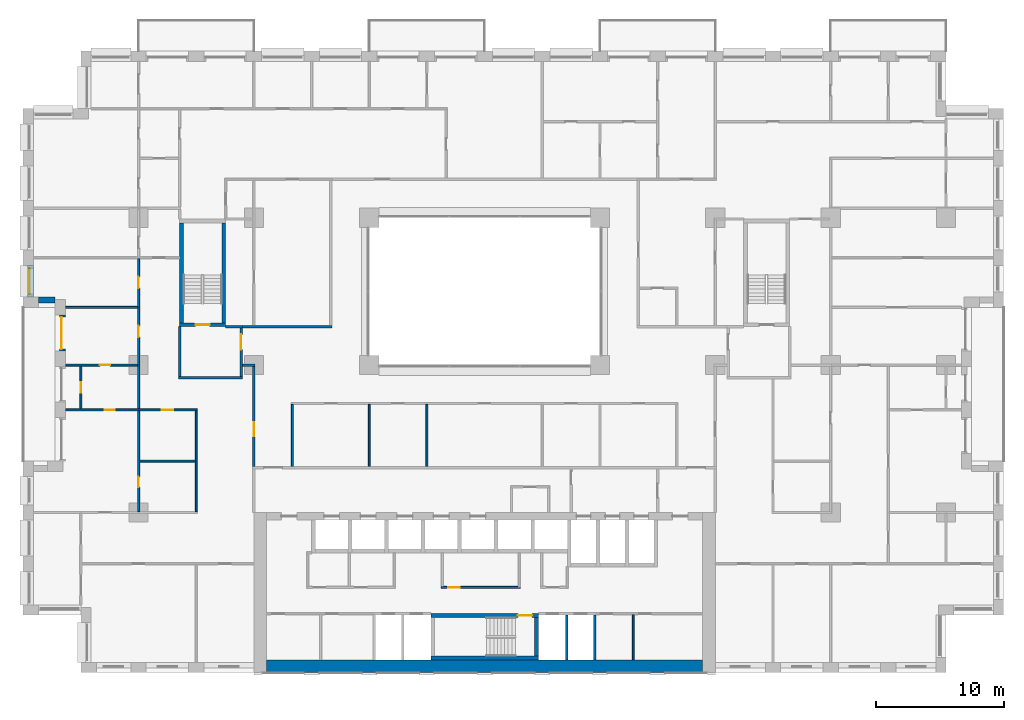
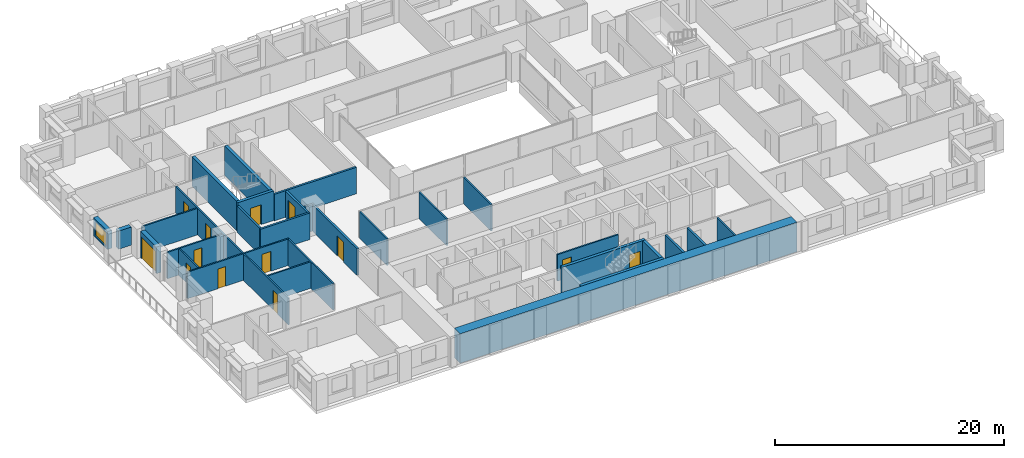
# One storey, part 10 of 20: 32 walls, 13 doors, 1 window, 14 openings.
"""IFC4 building model written with IfcOpenShell, lengths in metres."""

from ifc_helpers import new_model, si_unit, direction, frame, frame_2d, origin, place, context, subcontext, project, spatial, rectangle, extrude, material, layer, layer_set, type_object, element, fill, save


model = new_model("IFC4")

# Units and contexts
model_context = context("Model", 3, precision=1e-05, world=origin(), true_north=direction((0.0, 1.0)))
body_context = subcontext(model_context, "Body", "Model", "MODEL_VIEW")
ifc_project = project(units=[si_unit("LENGTHUNIT", "METRE"), si_unit("AREAUNIT", "SQUARE_METRE"), si_unit("VOLUMEUNIT", "CUBIC_METRE"), si_unit("PLANEANGLEUNIT", "RADIAN"), si_unit("MASSUNIT", "GRAM", prefix="KILO")], contexts=[model_context])

# Site, building, storey
site_placement = place(None, origin())
site = spatial("IfcSite", under=ifc_project, at=site_placement, CompositionType="ELEMENT")
building_placement = place(site_placement, origin())
building = spatial("IfcBuilding", under=site, at=building_placement, Name="Brigalow Station Residences", CompositionType="ELEMENT")
storey_placement = place(building_placement, frame((0.0, 0.0, 38.39990234375)))
storey = spatial("IfcBuildingStorey", under=building, at=storey_placement, Name="L10", CompositionType="ELEMENT", Elevation=38.39990234375)

# Wall, opening, window
ifc_material_1 = material(Name="Clay brick masonry", Category="masonry")
ifc_layer_1 = layer(ifc_material_1, 0.449951171875)
ifc_layer_set_1 = layer_set([ifc_layer_1], Name="BRICK INFILL WALL 450")
wall_type_1 = type_object("IfcWallType", Name="BRICK INFILL WALL 450", PredefinedType="SOLIDWALL", material=ifc_layer_set_1)
wall_1_placement = place(storey_placement, frame((0.574951171875, 31.77490234375, 0.900146484375), z_axis=(0.0, 0.0, 1.0), x_axis=(0.0, -1.0, 0.0)))
wall_1 = element("IfcWall", 1, at=wall_1_placement, inside=storey, type_object=wall_type_1, Name="L10/ewall/W-L10-45", PredefinedType="SOLIDWALL", context=body_context, shape_type="SweptSolid", body=[
    extrude(rectangle(XDim=2.474853515625, YDim=0.449951171875, at=frame_2d((1.2373046875, 0.0))), origin(), (0.0, 0.0, 1.0), 1.929931640625),
])
opening_1_placement = place(wall_1_placement, frame((0.237548828125, 0.0, 0.14990234375)))
opening_1 = element("IfcOpeningElement", 2, at=opening_1_placement, cuts=wall_1, Name="Opening WT-7", PredefinedType="OPENING", context=body_context, shape_type="SweptSolid", body=[
    extrude(rectangle(XDim=2.0, YDim=1.5, at=frame_2d((1.0, 0.75))), frame((0.0, 0.23486328125, 0.0), z_axis=(0.0, -1.0, 0.0), x_axis=(1.0, 0.0, 0.0)), (0.0, 0.0, 1.0), 0.469970703125),
])
ifc_material_2 = material(Name="Anodised aluminium frame with double glazing", Category="aluminium")
window_type = type_object("IfcWindowType", Name="WINDOW 2000x1500", PartitioningType="SINGLE_PANEL", PredefinedType="WINDOW", material=ifc_material_2)
window_placement = place(opening_1_placement, origin())
window = element("IfcWindow", 3, at=window_placement, inside=storey, type_object=window_type, Name="L10/window/W-L10-45", OverallHeight=1.5, OverallWidth=2.0, PartitioningType="SINGLE_PANEL", PredefinedType="WINDOW", context=body_context, shape_type="SweptSolid", body=[
    extrude(rectangle(XDim=2.0, YDim=1.5, at=frame_2d((1.0, 0.75))), frame((0.0, -0.06494140625, 0.0), z_axis=(0.0, -1.0, 0.0), x_axis=(1.0, 0.0, 0.0)), (0.0, 0.0, 1.0), 0.06005859375),
])
fill(opening_1, window)

# Wall
wall_2_placement = place(storey_placement, frame((1.199951171875, 29.074951171875, 0.900146484375), z_axis=(0.0, 0.0, 1.0), x_axis=(1.0, 0.0, 0.0)))
element("IfcWall", 4, at=wall_2_placement, inside=storey, type_object=wall_type_1, Name="L10/ewall/W-L10-46", PredefinedType="SOLIDWALL", context=body_context, shape_type="SweptSolid", body=[
    extrude(rectangle(XDim=1.300048828125, YDim=0.449951171875, at=frame_2d((0.64990234375, 0.0))), origin(), (0.0, 0.0, 1.0), 1.929931640625),
])

# Wall, opening, door
wall_3_placement = place(storey_placement, frame((3.074951171875, 27.89990234375, 0.0), z_axis=(0.0, 0.0, 1.0), x_axis=(0.0, -1.0, 0.0)))
wall_3 = element("IfcWall", 5, at=wall_3_placement, inside=storey, type_object=wall_type_1, Name="L10/ewall/W-L10-47", PredefinedType="SOLIDWALL", context=body_context, shape_type="SweptSolid", body=[
    extrude(rectangle(XDim=2.7998046875, YDim=0.449951171875, at=frame_2d((1.39990234375, 0.0))), origin(), (0.0, 0.0, 1.0), 2.830078125),
])
opening_2_placement = place(wall_3_placement, frame((0.14990234375, 0.0, 0.0)))
opening_2 = element("IfcOpeningElement", 6, at=opening_2_placement, cuts=wall_3, Name="Opening D-B2500", PredefinedType="OPENING", context=body_context, shape_type="SweptSolid", body=[
    extrude(rectangle(XDim=2.5, YDim=2.300048828125, at=frame_2d((1.25, 1.14990234375))), frame((0.0, 0.23486328125, 0.0), z_axis=(0.0, -1.0, 0.0), x_axis=(1.0, 0.0, 0.0)), (0.0, 0.0, 1.0), 0.469970703125),
])
ifc_material_3 = material(Name="Anodised aluminium frame with double glazing", Category="aluminium")
door_type_1 = type_object("IfcDoorType", Name="BALCONY SLIDING DOOR 2500x2300", OperationType="SLIDING_TO_LEFT", PredefinedType="DOOR", material=ifc_material_3)
door_1_placement = place(opening_2_placement, origin())
door_1 = element("IfcDoor", 7, at=door_1_placement, inside=storey, type_object=door_type_1, Name="L10/balcony-door/W-L10-47", OperationType="SLIDING_TO_LEFT", OverallHeight=2.300048828125, OverallWidth=2.5, PredefinedType="DOOR", context=body_context, shape_type="SweptSolid", body=[
    extrude(rectangle(XDim=2.5, YDim=2.300048828125, at=frame_2d((1.25, 1.14990234375))), frame((0.0, -0.06982421875, 0.0), z_axis=(0.0, -1.0, 0.0), x_axis=(1.0, 0.0, 0.0)), (0.0, 0.0, 1.0), 0.050048828125),
])
fill(opening_2, door_1)

# Walls
ifc_material_4 = material(Name="Concrete C80", Category="concrete")
ifc_layer_2 = layer(ifc_material_4, 1.0)
ifc_layer_set_2 = layer_set([ifc_layer_2], Name="CORE SHEAR WALL 1000 C80")
wall_type_2 = type_object("IfcWallType", Name="CORE SHEAR WALL 1000 C80", PredefinedType="SHEAR", material=ifc_layer_set_2)
wall_4_placement = place(storey_placement, frame((19.0, 0.5, 0.0), z_axis=(0.0, 0.0, 1.0), x_axis=(1.0, 0.0, 0.0)))
element("IfcWall", 8, at=wall_4_placement, inside=storey, type_object=wall_type_2, Name="CORE WALL OUT-S L10", PredefinedType="SHEAR", context=body_context, shape_type="SweptSolid", body=[
    extrude(rectangle(XDim=34.0, YDim=1.0, at=frame_2d((17.0, 0.0))), origin(), (0.0, 0.0, 1.0), 3.150146484375),
])
ifc_material_5 = material(Name="Concrete C80", Category="concrete")
ifc_layer_3 = layer(ifc_material_5, 0.300048828125)
ifc_layer_set_3 = layer_set([ifc_layer_3], Name="CORE SHEAR WALL 300 C80")
wall_type_3 = type_object("IfcWallType", Name="CORE SHEAR WALL 300 C80", PredefinedType="SHEAR", material=ifc_layer_set_3)
wall_5_placement = place(storey_placement, frame((31.800048828125, 1.14990234375, 0.0), z_axis=(0.0, 0.0, 1.0), x_axis=(1.0, 0.0, 0.0)))
element("IfcWall", 9, at=wall_5_placement, inside=storey, type_object=wall_type_3, Name="CORE WALL ST-S2-S L10", PredefinedType="SHEAR", context=body_context, shape_type="SweptSolid", body=[
    extrude(rectangle(XDim=8.39990234375, YDim=0.300048828125, at=frame_2d((4.199951171875, 0.0))), origin(), (0.0, 0.0, 1.0), 3.150146484375),
])

# Wall, opening, door
wall_6_placement = place(storey_placement, frame((31.800048828125, 4.449951171875, 0.0), z_axis=(0.0, 0.0, 1.0), x_axis=(1.0, 0.0, 0.0)))
wall_6 = element("IfcWall", 10, at=wall_6_placement, inside=storey, type_object=wall_type_3, Name="CORE WALL ST-S2-N L10", PredefinedType="SHEAR", context=body_context, shape_type="SweptSolid", body=[
    extrude(rectangle(XDim=8.39990234375, YDim=0.300048828125, at=frame_2d((4.199951171875, 0.0))), origin(), (0.0, 0.0, 1.0), 3.150146484375),
])
opening_3_placement = place(wall_6_placement, frame((6.800048828125, 0.0, 0.0)))
opening_3 = element("IfcOpeningElement", 11, at=opening_3_placement, cuts=wall_6, Name="Opening D-5001", PredefinedType="OPENING", context=body_context, shape_type="SweptSolid", body=[
    extrude(rectangle(XDim=1.10009765625, YDim=2.10009765625, at=frame_2d((0.550048828125, 1.050048828125))), frame((0.0, 0.16015625, 0.0), z_axis=(0.0, -1.0, 0.0), x_axis=(1.0, 0.0, 0.0)), (0.0, 0.0, 1.0), 0.320068359375),
])
ifc_material_6 = material(Name="Steel fire door leaf in steel frame", Category="steel")
door_type_2 = type_object("IfcDoorType", Name="STAIR DOOR 1100 x 2100 FD60S", OperationType="SINGLE_SWING_LEFT", PredefinedType="DOOR", material=ifc_material_6)
door_2_placement = place(opening_3_placement, frame((1.10009765625, 0.0, 0.0), z_axis=(0.0, 0.0, 1.0), x_axis=(-1.0, 0.0, 0.0)))
door_2 = element("IfcDoor", 12, at=door_2_placement, inside=storey, type_object=door_type_2, Name="D-5001", OperationType="SINGLE_SWING_LEFT", OverallHeight=2.10009765625, OverallWidth=1.10009765625, PredefinedType="DOOR", context=body_context, shape_type="SweptSolid", body=[
    extrude(rectangle(XDim=1.10009765625, YDim=2.10009765625, at=frame_2d((0.550048828125, 1.050048828125))), frame((0.0, 0.02490234375, 0.0), z_axis=(0.0, -1.0, 0.0), x_axis=(1.0, 0.0, 0.0)), (0.0, 0.0, 1.0), 0.050048828125),
])
fill(opening_3, door_2)

# Wall
wall_7_placement = place(storey_placement, frame((40.050048828125, 1.300048828125, 0.0), z_axis=(0.0, 0.0, 1.0), x_axis=(0.0, 1.0, 0.0)))
element("IfcWall", 13, at=wall_7_placement, inside=storey, type_object=wall_type_3, Name="CORE WALL ST-S2-E L10", PredefinedType="SHEAR", context=body_context, shape_type="SweptSolid", body=[
    extrude(rectangle(XDim=3.0, YDim=0.300048828125, at=frame_2d((1.5, 0.0))), origin(), (0.0, 0.0, 1.0), 3.150146484375),
])

# Wall, opening, door
wall_8_placement = place(storey_placement, frame((12.199951171875, 27.14990234375, 0.0), z_axis=(0.0, 0.0, 1.0), x_axis=(1.0, 0.0, 0.0)))
wall_8 = element("IfcWall", 14, at=wall_8_placement, inside=storey, type_object=wall_type_3, Name="CORE WALL ST-S1-S L10", PredefinedType="SHEAR", context=body_context, shape_type="SweptSolid", body=[
    extrude(rectangle(XDim=3.60009765625, YDim=0.300048828125, at=frame_2d((1.800048828125, 0.0))), origin(), (0.0, 0.0, 1.0), 3.150146484375),
])
opening_4_placement = place(wall_8_placement, frame((1.25, 0.0, 0.0)))
opening_4 = element("IfcOpeningElement", 15, at=opening_4_placement, cuts=wall_8, Name="Opening D-5015", PredefinedType="OPENING", context=body_context, shape_type="SweptSolid", body=[
    extrude(rectangle(XDim=1.10009765625, YDim=2.10009765625, at=frame_2d((0.550048828125, 1.050048828125))), frame((0.0, 0.16015625, 0.0), z_axis=(0.0, -1.0, 0.0), x_axis=(1.0, 0.0, 0.0)), (0.0, 0.0, 1.0), 0.320068359375),
])
door_3_placement = place(opening_4_placement, origin())
door_3 = element("IfcDoor", 16, at=door_3_placement, inside=storey, type_object=door_type_2, Name="D-5015", OperationType="SINGLE_SWING_LEFT", OverallHeight=2.10009765625, OverallWidth=1.10009765625, PredefinedType="DOOR", context=body_context, shape_type="SweptSolid", body=[
    extrude(rectangle(XDim=1.10009765625, YDim=2.10009765625, at=frame_2d((0.550048828125, 1.050048828125))), frame((0.0, 0.02490234375, 0.0), z_axis=(0.0, -1.0, 0.0), x_axis=(1.0, 0.0, 0.0)), (0.0, 0.0, 1.0), 0.050048828125),
])
fill(opening_4, door_3)

# Walls
for number, where, z_axis, x_axis, name in (
    (17, (12.35009765625, 27.300048828125, 0.0), (0.0, 0.0, 1.0), (0.0, 1.0, 0.0), "CORE WALL ST-S1-W L10"),
    (18, (15.64990234375, 27.300048828125, 0.0), (0.0, 0.0, 1.0), (0.0, 1.0, 0.0), "CORE WALL ST-S1-E L10"),
):
    element("IfcWall", number, at=place(storey_placement, frame(where, z_axis=z_axis, x_axis=x_axis)), inside=storey, type_object=wall_type_3, Name=name, PredefinedType="SHEAR", context=body_context, shape_type="SweptSolid", body=[
        extrude(rectangle(XDim=7.800048828125, YDim=0.300048828125, at=frame_2d((3.89990234375, 0.0))), origin(), (0.0, 0.0, 1.0), 3.150146484375),
    ])
ifc_material_7 = material(Name="Concrete blockwork", Category="masonry")
ifc_layer_4 = layer(ifc_material_7, 0.199951171875)
ifc_layer_set_4 = layer_set([ifc_layer_4], Name="FIRE RATED CORE PARTITION 200")
wall_type_4 = type_object("IfcWallType", Name="FIRE RATED CORE PARTITION 200", PredefinedType="PARTITIONING", material=ifc_layer_set_4)
wall_9_placement = place(storey_placement, frame((12.10009765625, 23.0, 0.0), z_axis=(0.0, 0.0, 1.0), x_axis=(1.0, 0.0, 0.0)))
element("IfcWall", 19, at=wall_9_placement, inside=storey, type_object=wall_type_4, Name="PW-5023", PredefinedType="PARTITIONING", context=body_context, shape_type="SweptSolid", body=[
    extrude(rectangle(XDim=5.0, YDim=0.199951171875, at=frame_2d((2.5, 0.0))), origin(), (0.0, 0.0, 1.0), 2.830078125),
])
wall_10_placement = place(storey_placement, frame((15.800048828125, 27.0, 0.0), z_axis=(0.0, 0.0, 1.0), x_axis=(1.0, 0.0, 0.0)))
element("IfcWall", 20, at=wall_10_placement, inside=storey, type_object=wall_type_4, Name="PW-5025", PredefinedType="PARTITIONING", context=body_context, shape_type="SweptSolid", body=[
    extrude(rectangle(XDim=1.300048828125, YDim=0.199951171875, at=frame_2d((0.64990234375, 0.0))), origin(), (0.0, 0.0, 1.0), 2.830078125),
])
for number, where, z_axis, x_axis, name in (
    (21, (42.39990234375, 1.0, 0.0), (0.0, 0.0, 1.0), (0.0, 1.0, 0.0), "PW-5007"),
    (22, (44.60009765625, 1.0, 0.0), (0.0, 0.0, 1.0), (0.0, 1.0, 0.0), "PW-5008"),
):
    element("IfcWall", number, at=place(storey_placement, frame(where, z_axis=z_axis, x_axis=x_axis)), inside=storey, type_object=wall_type_4, Name=name, PredefinedType="PARTITIONING", context=body_context, shape_type="SweptSolid", body=[
        extrude(rectangle(XDim=3.5, YDim=0.199951171875, at=frame_2d((1.75, 0.0))), origin(), (0.0, 0.0, 1.0), 2.830078125),
    ])
wall_11_placement = place(storey_placement, frame((12.199951171875, 23.10009765625, 0.0), z_axis=(0.0, 0.0, 1.0), x_axis=(0.0, 1.0, 0.0)))
element("IfcWall", 23, at=wall_11_placement, inside=storey, type_object=wall_type_4, Name="PW-5034", PredefinedType="PARTITIONING", context=body_context, shape_type="SweptSolid", body=[
    extrude(rectangle(XDim=3.89990234375, YDim=0.199951171875, at=frame_2d((1.949951171875, 0.0))), origin(), (0.0, 0.0, 1.0), 2.830078125),
])

# Wall, opening, door
wall_12_placement = place(storey_placement, frame((17.0, 23.10009765625, 0.0), z_axis=(0.0, 0.0, 1.0), x_axis=(0.0, 1.0, 0.0)))
wall_12 = element("IfcWall", 24, at=wall_12_placement, inside=storey, type_object=wall_type_4, Name="PW-5035", PredefinedType="PARTITIONING", context=body_context, shape_type="SweptSolid", body=[
    extrude(rectangle(XDim=3.7998046875, YDim=0.199951171875, at=frame_2d((1.89990234375, 0.0))), origin(), (0.0, 0.0, 1.0), 2.830078125),
])
opening_5_placement = place(wall_12_placement, frame((2.10009765625, 0.0, 0.0)))
opening_5 = element("IfcOpeningElement", 25, at=opening_5_placement, cuts=wall_12, Name="Opening D-5016", PredefinedType="OPENING", context=body_context, shape_type="SweptSolid", body=[
    extrude(rectangle(XDim=1.199951171875, YDim=2.10009765625, at=frame_2d((0.60009765625, 1.050048828125))), frame((0.0, 0.10986328125, 0.0), z_axis=(0.0, -1.0, 0.0), x_axis=(1.0, 0.0, 0.0)), (0.0, 0.0, 1.0), 0.219970703125),
])
ifc_material_8 = material(Name="Steel fire door leaf in steel frame", Category="steel")
door_type_3 = type_object("IfcDoorType", Name="STAIR LOBBY DOOR 1200 x 2100 FD60S", OperationType="SINGLE_SWING_LEFT", PredefinedType="DOOR", material=ifc_material_8)
door_4_placement = place(opening_5_placement, origin())
door_4 = element("IfcDoor", 26, at=door_4_placement, inside=storey, type_object=door_type_3, Name="D-5016", OperationType="SINGLE_SWING_RIGHT", OverallHeight=2.10009765625, OverallWidth=1.199951171875, PredefinedType="DOOR", context=body_context, shape_type="SweptSolid", body=[
    extrude(rectangle(XDim=1.199951171875, YDim=2.10009765625, at=frame_2d((0.60009765625, 1.050048828125))), frame((0.0, 0.02490234375, 0.0), z_axis=(0.0, -1.0, 0.0), x_axis=(1.0, 0.0, 0.0)), (0.0, 0.0, 1.0), 0.050048828125),
])
fill(opening_5, door_4)

ifc_material_9 = material(Name="Plasterboard on steel stud partition", Category="steel")
ifc_layer_5 = layer(ifc_material_9, 0.14990234375)
ifc_layer_set_5 = layer_set([ifc_layer_5], Name="FLAT PARTITION 150")
wall_type_5 = type_object("IfcWallType", Name="FLAT PARTITION 150", PredefinedType="PARTITIONING", material=ifc_layer_set_5)
wall_13_placement = place(storey_placement, frame((3.300048828125, 24.0, 0.0), z_axis=(0.0, 0.0, 1.0), x_axis=(1.0, 0.0, 0.0)))
wall_13 = element("IfcWall", 27, at=wall_13_placement, inside=storey, type_object=wall_type_5, Name="PW-1C02", PredefinedType="PARTITIONING", context=body_context, shape_type="SweptSolid", body=[
    extrude(rectangle(XDim=5.625, YDim=0.14990234375, at=frame_2d((2.8125, 0.0))), origin(), (0.0, 0.0, 1.0), 2.830078125),
])
opening_6_placement = place(wall_13_placement, frame((2.675048828125, 0.0, 0.0)))
opening_6 = element("IfcOpeningElement", 28, at=opening_6_placement, cuts=wall_13, Name="Opening D-1C04", PredefinedType="OPENING", context=body_context, shape_type="SweptSolid", body=[
    extrude(rectangle(XDim=0.800048828125, YDim=2.10009765625, at=frame_2d((0.39990234375, 1.050048828125))), frame((0.0, 0.0849609375, 0.0), z_axis=(0.0, -1.0, 0.0), x_axis=(1.0, 0.0, 0.0)), (0.0, 0.0, 1.0), 0.169921875),
])
ifc_material_10 = material(Name="Solid-core timber door leaf", Category="wood")
door_type_4 = type_object("IfcDoorType", Name="INTERNAL DOOR 800 x 2100", OperationType="SINGLE_SWING_LEFT", PredefinedType="DOOR", material=ifc_material_10)
door_5_placement = place(opening_6_placement, frame((0.800048828125, 0.0, 0.0), z_axis=(0.0, 0.0, 1.0), x_axis=(-1.0, 0.0, 0.0)))
door_5 = element("IfcDoor", 29, at=door_5_placement, inside=storey, type_object=door_type_4, Name="D-1C04", OperationType="SINGLE_SWING_RIGHT", OverallHeight=2.10009765625, OverallWidth=0.800048828125, PredefinedType="DOOR", context=body_context, shape_type="SweptSolid", body=[
    extrude(rectangle(XDim=0.800048828125, YDim=2.10009765625, at=frame_2d((0.39990234375, 1.050048828125))), frame((0.0, 0.02490234375, 0.0), z_axis=(0.0, -1.0, 0.0), x_axis=(1.0, 0.0, 0.0)), (0.0, 0.0, 1.0), 0.050048828125),
])
fill(opening_6, door_5)

# Wall, openings, doors
wall_14_placement = place(storey_placement, frame((3.300048828125, 20.5, 0.0), z_axis=(0.0, 0.0, 1.0), x_axis=(1.0, 0.0, 0.0)))
wall_14 = element("IfcWall", 30, at=wall_14_placement, inside=storey, type_object=wall_type_5, Name="PW-1C17", PredefinedType="PARTITIONING", context=body_context, shape_type="SweptSolid", body=[
    extrude(rectangle(XDim=10.27490234375, YDim=0.14990234375, at=frame_2d((5.137451171875, 0.0))), origin(), (0.0, 0.0, 1.0), 2.830078125),
])
opening_7_placement = place(wall_14_placement, frame((7.5, 0.0, 0.0)))
opening_7 = element("IfcOpeningElement", 31, at=opening_7_placement, cuts=wall_14, Name="Opening D-1C03", PredefinedType="OPENING", context=body_context, shape_type="SweptSolid", body=[
    extrude(rectangle(XDim=0.89990234375, YDim=2.10009765625, at=frame_2d((0.449951171875, 1.050048828125))), frame((0.0, 0.0849609375, 0.0), z_axis=(0.0, -1.0, 0.0), x_axis=(1.0, 0.0, 0.0)), (0.0, 0.0, 1.0), 0.169921875),
])
opening_8_placement = place(wall_14_placement, frame((3.050048828125, 0.0, 0.0)))
opening_8 = element("IfcOpeningElement", 32, at=opening_8_placement, cuts=wall_14, Name="Opening D-1C09", PredefinedType="OPENING", context=body_context, shape_type="SweptSolid", body=[
    extrude(rectangle(XDim=0.800048828125, YDim=2.10009765625, at=frame_2d((0.39990234375, 1.050048828125))), frame((0.0, 0.0849609375, 0.0), z_axis=(0.0, -1.0, 0.0), x_axis=(1.0, 0.0, 0.0)), (0.0, 0.0, 1.0), 0.169921875),
])
door_6_placement = place(opening_8_placement, origin())
door_6 = element("IfcDoor", 33, at=door_6_placement, inside=storey, type_object=door_type_4, Name="D-1C09", OperationType="SINGLE_SWING_RIGHT", OverallHeight=2.10009765625, OverallWidth=0.800048828125, PredefinedType="DOOR", context=body_context, shape_type="SweptSolid", body=[
    extrude(rectangle(XDim=0.800048828125, YDim=2.10009765625, at=frame_2d((0.39990234375, 1.050048828125))), frame((0.0, 0.02490234375, 0.0), z_axis=(0.0, -1.0, 0.0), x_axis=(1.0, 0.0, 0.0)), (0.0, 0.0, 1.0), 0.050048828125),
])
fill(opening_8, door_6)
ifc_material_11 = material(Name="Solid-core timber door leaf", Category="wood")
door_type_5 = type_object("IfcDoorType", Name="INTERNAL DOOR 900 x 2100", OperationType="SINGLE_SWING_LEFT", PredefinedType="DOOR", material=ifc_material_11)
door_7_placement = place(opening_7_placement, frame((0.89990234375, 0.0, 0.0), z_axis=(0.0, 0.0, 1.0), x_axis=(-1.0, 0.0, 0.0)))
door_7 = element("IfcDoor", 34, at=door_7_placement, inside=storey, type_object=door_type_5, Name="D-1C03", OperationType="SINGLE_SWING_LEFT", OverallHeight=2.10009765625, OverallWidth=0.89990234375, PredefinedType="DOOR", context=body_context, shape_type="SweptSolid", body=[
    extrude(rectangle(XDim=0.89990234375, YDim=2.10009765625, at=frame_2d((0.449951171875, 1.050048828125))), frame((0.0, 0.02490234375, 0.0), z_axis=(0.0, -1.0, 0.0), x_axis=(1.0, 0.0, 0.0)), (0.0, 0.0, 1.0), 0.050048828125),
])
fill(opening_7, door_7)

# Walls
wall_15_placement = place(storey_placement, frame((9.074951171875, 16.5, 0.0), z_axis=(0.0, 0.0, 1.0), x_axis=(1.0, 0.0, 0.0)))
element("IfcWall", 35, at=wall_15_placement, inside=storey, type_object=wall_type_5, Name="PW-1C21", PredefinedType="PARTITIONING", context=body_context, shape_type="SweptSolid", body=[
    extrude(rectangle(XDim=4.35009765625, YDim=0.14990234375, at=frame_2d((2.175048828125, 0.0))), origin(), (0.0, 0.0, 1.0), 2.830078125),
])
wall_16_placement = place(storey_placement, frame((3.300048828125, 28.5, 0.0), z_axis=(0.0, 0.0, 1.0), x_axis=(1.0, 0.0, 0.0)))
element("IfcWall", 36, at=wall_16_placement, inside=storey, type_object=wall_type_5, Name="PW-1C23", PredefinedType="PARTITIONING", context=body_context, shape_type="SweptSolid", body=[
    extrude(rectangle(XDim=5.625, YDim=0.14990234375, at=frame_2d((2.8125, 0.0))), origin(), (0.0, 0.0, 1.0), 2.830078125),
])
wall_17_placement = place(storey_placement, frame((21.0, 16.10009765625, 0.0), z_axis=(0.0, 0.0, 1.0), x_axis=(0.0, 1.0, 0.0)))
element("IfcWall", 37, at=wall_17_placement, inside=storey, type_object=wall_type_5, Name="PW-1C44", PredefinedType="PARTITIONING", context=body_context, shape_type="SweptSolid", body=[
    extrude(rectangle(XDim=4.824951171875, YDim=0.14990234375, at=frame_2d((2.41259765625, 0.0))), origin(), (0.0, 0.0, 1.0), 2.830078125),
])
wall_18_placement = place(storey_placement, frame((13.5, 12.574951171875, 0.0), z_axis=(0.0, 0.0, 1.0), x_axis=(0.0, 1.0, 0.0)))
element("IfcWall", 38, at=wall_18_placement, inside=storey, type_object=wall_type_5, Name="PW-1C50", PredefinedType="PARTITIONING", context=body_context, shape_type="SweptSolid", body=[
    extrude(rectangle(XDim=7.85009765625, YDim=0.14990234375, at=frame_2d((3.925048828125, 0.0))), origin(), (0.0, 0.0, 1.0), 2.830078125),
])

# Wall, opening, door
wall_19_placement = place(storey_placement, frame((4.5, 20.574951171875, 0.0), z_axis=(0.0, 0.0, 1.0), x_axis=(0.0, 1.0, 0.0)))
wall_19 = element("IfcWall", 39, at=wall_19_placement, inside=storey, type_object=wall_type_5, Name="PW-1C52", PredefinedType="PARTITIONING", context=body_context, shape_type="SweptSolid", body=[
    extrude(rectangle(XDim=3.35009765625, YDim=0.14990234375, at=frame_2d((1.675048828125, 0.0))), origin(), (0.0, 0.0, 1.0), 2.830078125),
])
opening_9_placement = place(wall_19_placement, frame((1.27490234375, 0.0, 0.0)))
opening_9 = element("IfcOpeningElement", 40, at=opening_9_placement, cuts=wall_19, Name="Opening D-1C10", PredefinedType="OPENING", context=body_context, shape_type="SweptSolid", body=[
    extrude(rectangle(XDim=0.800048828125, YDim=2.10009765625, at=frame_2d((0.39990234375, 1.050048828125))), frame((0.0, 0.0849609375, 0.0), z_axis=(0.0, -1.0, 0.0), x_axis=(1.0, 0.0, 0.0)), (0.0, 0.0, 1.0), 0.169921875),
])
door_8_placement = place(opening_9_placement, origin())
door_8 = element("IfcDoor", 41, at=door_8_placement, inside=storey, type_object=door_type_4, Name="D-1C10", OperationType="SINGLE_SWING_LEFT", OverallHeight=2.10009765625, OverallWidth=0.800048828125, PredefinedType="DOOR", context=body_context, shape_type="SweptSolid", body=[
    extrude(rectangle(XDim=0.800048828125, YDim=2.10009765625, at=frame_2d((0.39990234375, 1.050048828125))), frame((0.0, 0.02490234375, 0.0), z_axis=(0.0, -1.0, 0.0), x_axis=(1.0, 0.0, 0.0)), (0.0, 0.0, 1.0), 0.050048828125),
])
fill(opening_9, door_8)

wall_20_placement = place(storey_placement, frame((9.0, 12.574951171875, 0.0), z_axis=(0.0, 0.0, 1.0), x_axis=(0.0, 1.0, 0.0)))
wall_20 = element("IfcWall", 42, at=wall_20_placement, inside=storey, type_object=wall_type_5, Name="PW-1C53", PredefinedType="PARTITIONING", context=body_context, shape_type="SweptSolid", body=[
    extrude(rectangle(XDim=7.85009765625, YDim=0.14990234375, at=frame_2d((3.925048828125, 0.0))), origin(), (0.0, 0.0, 1.0), 2.830078125),
])
opening_10_placement = place(wall_20_placement, frame((1.89990234375, 0.0, 0.0)))
opening_10 = element("IfcOpeningElement", 43, at=opening_10_placement, cuts=wall_20, Name="Opening D-1C11", PredefinedType="OPENING", context=body_context, shape_type="SweptSolid", body=[
    extrude(rectangle(XDim=0.800048828125, YDim=2.10009765625, at=frame_2d((0.39990234375, 1.050048828125))), frame((0.0, 0.0849609375, 0.0), z_axis=(0.0, -1.0, 0.0), x_axis=(1.0, 0.0, 0.0)), (0.0, 0.0, 1.0), 0.169921875),
])
door_9_placement = place(opening_10_placement, frame((0.800048828125, 0.0, 0.0), z_axis=(0.0, 0.0, 1.0), x_axis=(-1.0, 0.0, 0.0)))
door_9 = element("IfcDoor", 44, at=door_9_placement, inside=storey, type_object=door_type_4, Name="D-1C11", OperationType="SINGLE_SWING_LEFT", OverallHeight=2.10009765625, OverallWidth=0.800048828125, PredefinedType="DOOR", context=body_context, shape_type="SweptSolid", body=[
    extrude(rectangle(XDim=0.800048828125, YDim=2.10009765625, at=frame_2d((0.39990234375, 1.050048828125))), frame((0.0, 0.02490234375, 0.0), z_axis=(0.0, -1.0, 0.0), x_axis=(1.0, 0.0, 0.0)), (0.0, 0.0, 1.0), 0.050048828125),
])
fill(opening_10, door_9)

# Wall, openings, doors
wall_21_placement = place(storey_placement, frame((9.0, 20.574951171875, 0.0), z_axis=(0.0, 0.0, 1.0), x_axis=(0.0, 1.0, 0.0)))
wall_21 = element("IfcWall", 45, at=wall_21_placement, inside=storey, type_object=wall_type_5, Name="PW-1C54", PredefinedType="PARTITIONING", context=body_context, shape_type="SweptSolid", body=[
    extrude(rectangle(XDim=11.72509765625, YDim=0.14990234375, at=frame_2d((5.862548828125, 0.0))), origin(), (0.0, 0.0, 1.0), 2.830078125),
])
opening_11_placement = place(wall_21_placement, frame((5.60009765625, 0.0, 0.0)))
opening_11 = element("IfcOpeningElement", 46, at=opening_11_placement, cuts=wall_21, Name="Opening D-1C05", PredefinedType="OPENING", context=body_context, shape_type="SweptSolid", body=[
    extrude(rectangle(XDim=0.89990234375, YDim=2.10009765625, at=frame_2d((0.449951171875, 1.050048828125))), frame((0.0, 0.0849609375, 0.0), z_axis=(0.0, -1.0, 0.0), x_axis=(1.0, 0.0, 0.0)), (0.0, 0.0, 1.0), 0.169921875),
])
opening_12_placement = place(wall_21_placement, frame((9.4130859375, 0.0, 0.0)))
opening_12 = element("IfcOpeningElement", 47, at=opening_12_placement, cuts=wall_21, Name="Opening D-1C06", PredefinedType="OPENING", context=body_context, shape_type="SweptSolid", body=[
    extrude(rectangle(XDim=0.89990234375, YDim=2.10009765625, at=frame_2d((0.449951171875, 1.050048828125))), frame((0.0, 0.0849609375, 0.0), z_axis=(0.0, -1.0, 0.0), x_axis=(1.0, 0.0, 0.0)), (0.0, 0.0, 1.0), 0.169921875),
])
door_10_placement = place(opening_11_placement, origin())
door_10 = element("IfcDoor", 48, at=door_10_placement, inside=storey, type_object=door_type_5, Name="D-1C05", OperationType="SINGLE_SWING_RIGHT", OverallHeight=2.10009765625, OverallWidth=0.89990234375, PredefinedType="DOOR", context=body_context, shape_type="SweptSolid", body=[
    extrude(rectangle(XDim=0.89990234375, YDim=2.10009765625, at=frame_2d((0.449951171875, 1.050048828125))), frame((0.0, 0.02490234375, 0.0), z_axis=(0.0, -1.0, 0.0), x_axis=(1.0, 0.0, 0.0)), (0.0, 0.0, 1.0), 0.050048828125),
])
fill(opening_11, door_10)
door_11_placement = place(opening_12_placement, origin())
door_11 = element("IfcDoor", 49, at=door_11_placement, inside=storey, type_object=door_type_5, Name="D-1C06", OperationType="SINGLE_SWING_RIGHT", OverallHeight=2.10009765625, OverallWidth=0.89990234375, PredefinedType="DOOR", context=body_context, shape_type="SweptSolid", body=[
    extrude(rectangle(XDim=0.89990234375, YDim=2.10009765625, at=frame_2d((0.449951171875, 1.050048828125))), frame((0.0, 0.02490234375, 0.0), z_axis=(0.0, -1.0, 0.0), x_axis=(1.0, 0.0, 0.0)), (0.0, 0.0, 1.0), 0.050048828125),
])
fill(opening_12, door_11)

# Walls
for number, where, z_axis, x_axis, name in (
    (50, (27.0, 16.10009765625, 0.0), (0.0, 0.0, 1.0), (0.0, 1.0, 0.0), "PW-1C63"),
    (51, (31.5, 16.10009765625, 0.0), (0.0, 0.0, 1.0), (0.0, 1.0, 0.0), "PW-1C65"),
):
    element("IfcWall", number, at=place(storey_placement, frame(where, z_axis=z_axis, x_axis=x_axis)), inside=storey, type_object=wall_type_5, Name=name, PredefinedType="PARTITIONING", context=body_context, shape_type="SweptSolid", body=[
        extrude(rectangle(XDim=4.824951171875, YDim=0.14990234375, at=frame_2d((2.41259765625, 0.0))), origin(), (0.0, 0.0, 1.0), 2.830078125),
    ])
ifc_material_12 = material(Name="Plasterboard on steel stud partition", Category="steel")
ifc_layer_6 = layer(ifc_material_12, 0.199951171875)
ifc_layer_set_6 = layer_set([ifc_layer_6], Name="PARTY AND CORRIDOR WALL 200")
wall_type_6 = type_object("IfcWallType", Name="PARTY AND CORRIDOR WALL 200", PredefinedType="PARTITIONING", material=ifc_layer_set_6)
wall_22_placement = place(storey_placement, frame((17.10009765625, 24.0, 0.0), z_axis=(0.0, 0.0, 1.0), x_axis=(1.0, 0.0, 0.0)))
element("IfcWall", 52, at=wall_22_placement, inside=storey, type_object=wall_type_6, Name="PW-1C04", PredefinedType="PARTITIONING", context=body_context, shape_type="SweptSolid", body=[
    extrude(rectangle(XDim=1.0, YDim=0.199951171875, at=frame_2d((0.5, 0.0))), origin(), (0.0, 0.0, 1.0), 2.830078125),
])
wall_23_placement = place(storey_placement, frame((17.10009765625, 27.0, 0.0), z_axis=(0.0, 0.0, 1.0), x_axis=(1.0, 0.0, 0.0)))
element("IfcWall", 53, at=wall_23_placement, inside=storey, type_object=wall_type_6, Name="PW-1C07", PredefinedType="PARTITIONING", context=body_context, shape_type="SweptSolid", body=[
    extrude(rectangle(XDim=7.0, YDim=0.199951171875, at=frame_2d((3.5, 0.0))), origin(), (0.0, 0.0, 1.0), 2.830078125),
])

# Wall, opening, door
wall_24_placement = place(storey_placement, frame((18.0, 16.10009765625, 0.0), z_axis=(0.0, 0.0, 1.0), x_axis=(0.0, 1.0, 0.0)))
wall_24 = element("IfcWall", 54, at=wall_24_placement, inside=storey, type_object=wall_type_6, Name="PW-1C40", PredefinedType="PARTITIONING", context=body_context, shape_type="SweptSolid", body=[
    extrude(rectangle(XDim=7.7998046875, YDim=0.199951171875, at=frame_2d((3.89990234375, 0.0))), origin(), (0.0, 0.0, 1.0), 2.830078125),
])
opening_13_placement = place(wall_24_placement, frame((2.35009765625, 0.0, 0.0)))
opening_13 = element("IfcOpeningElement", 55, at=opening_13_placement, cuts=wall_24, Name="Opening D-1C17", PredefinedType="OPENING", context=body_context, shape_type="SweptSolid", body=[
    extrude(rectangle(XDim=1.10009765625, YDim=2.10009765625, at=frame_2d((0.550048828125, 1.050048828125))), frame((0.0, 0.10986328125, 0.0), z_axis=(0.0, -1.0, 0.0), x_axis=(1.0, 0.0, 0.0)), (0.0, 0.0, 1.0), 0.219970703125),
])
ifc_material_13 = material(Name="Solid-core timber door leaf", Category="wood")
door_type_6 = type_object("IfcDoorType", Name="FLAT ENTRANCE DOOR 1100 x 2100 FRL -/60/30", OperationType="SINGLE_SWING_LEFT", PredefinedType="DOOR", material=ifc_material_13)
door_12_placement = place(opening_13_placement, origin())
door_12 = element("IfcDoor", 56, at=door_12_placement, inside=storey, type_object=door_type_6, Name="D-1C17", OperationType="SINGLE_SWING_RIGHT", OverallHeight=2.10009765625, OverallWidth=1.10009765625, PredefinedType="DOOR", context=body_context, shape_type="SweptSolid", body=[
    extrude(rectangle(XDim=1.10009765625, YDim=2.10009765625, at=frame_2d((0.550048828125, 1.050048828125))), frame((0.0, 0.02490234375, 0.0), z_axis=(0.0, -1.0, 0.0), x_axis=(1.0, 0.0, 0.0)), (0.0, 0.0, 1.0), 0.050048828125),
])
fill(opening_13, door_12)

ifc_material_14 = material(Name="Plasterboard on steel studs", Category="steel")
ifc_layer_7 = layer(ifc_material_14, 0.14990234375)
ifc_layer_set_7 = layer_set([ifc_layer_7], Name="SERVICE ROOM PARTITION 150")
wall_type_7 = type_object("IfcWallType", Name="SERVICE ROOM PARTITION 150", PredefinedType="PARTITIONING", material=ifc_layer_set_7)
wall_25_placement = place(storey_placement, frame((32.625, 6.64990234375, 0.0), z_axis=(0.0, 0.0, 1.0), x_axis=(1.0, 0.0, 0.0)))
wall_25 = element("IfcWall", 57, at=wall_25_placement, inside=storey, type_object=wall_type_7, Name="PW-5127", PredefinedType="PARTITIONING", context=body_context, shape_type="SweptSolid", body=[
    extrude(rectangle(XDim=6.14990234375, YDim=0.14990234375, at=frame_2d((3.074951171875, 0.0))), origin(), (0.0, 0.0, 1.0), 2.830078125),
])
opening_14_placement = place(wall_25_placement, frame((0.52490234375, 0.0, 0.0)))
opening_14 = element("IfcOpeningElement", 58, at=opening_14_placement, cuts=wall_25, Name="Opening D-5073", PredefinedType="OPENING", context=body_context, shape_type="SweptSolid", body=[
    extrude(rectangle(XDim=0.89990234375, YDim=2.10009765625, at=frame_2d((0.449951171875, 1.050048828125))), frame((0.0, 0.0849609375, 0.0), z_axis=(0.0, -1.0, 0.0), x_axis=(1.0, 0.0, 0.0)), (0.0, 0.0, 1.0), 0.169921875),
])
ifc_material_15 = material(Name="Steel door leaf in steel frame", Category="steel")
door_type_7 = type_object("IfcDoorType", Name="SERVICE ROOM DOOR 900 x 2100 FD60", OperationType="SINGLE_SWING_LEFT", PredefinedType="DOOR", material=ifc_material_15)
door_13_placement = place(opening_14_placement, origin())
door_13 = element("IfcDoor", 59, at=door_13_placement, inside=storey, type_object=door_type_7, Name="D-5073", OperationType="SINGLE_SWING_LEFT", OverallHeight=2.10009765625, OverallWidth=0.89990234375, PredefinedType="DOOR", context=body_context, shape_type="SweptSolid", body=[
    extrude(rectangle(XDim=0.89990234375, YDim=2.10009765625, at=frame_2d((0.449951171875, 1.050048828125))), frame((0.0, 0.02490234375, 0.0), z_axis=(0.0, -1.0, 0.0), x_axis=(1.0, 0.0, 0.0)), (0.0, 0.0, 1.0), 0.050048828125),
])
fill(opening_14, door_13)

# Wall
wall_26_placement = place(storey_placement, frame((47.60009765625, 1.0, 0.0), z_axis=(0.0, 0.0, 1.0), x_axis=(0.0, 1.0, 0.0)))
element("IfcWall", 60, at=wall_26_placement, inside=storey, type_object=wall_type_7, Name="PW-5131", PredefinedType="PARTITIONING", context=body_context, shape_type="SweptSolid", body=[
    extrude(rectangle(XDim=3.52490234375, YDim=0.14990234375, at=frame_2d((1.762451171875, 0.0))), origin(), (0.0, 0.0, 1.0), 2.830078125),
])

save(model, "model.ifc")
